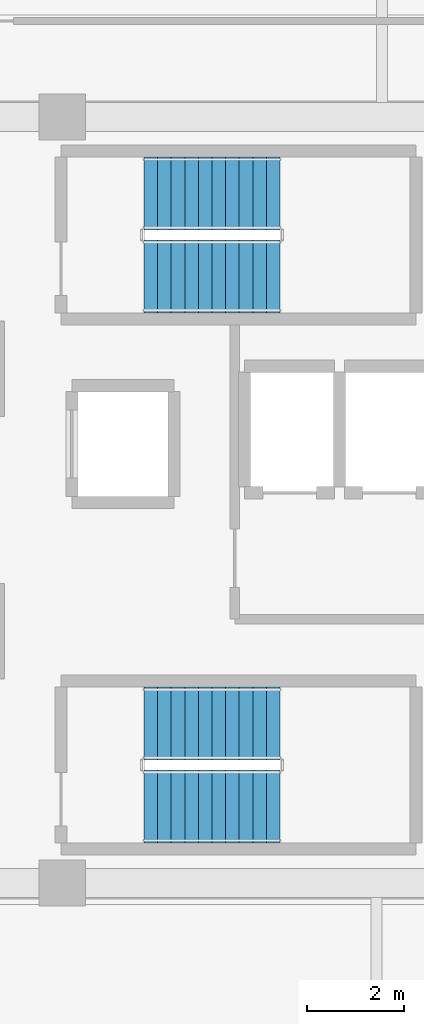
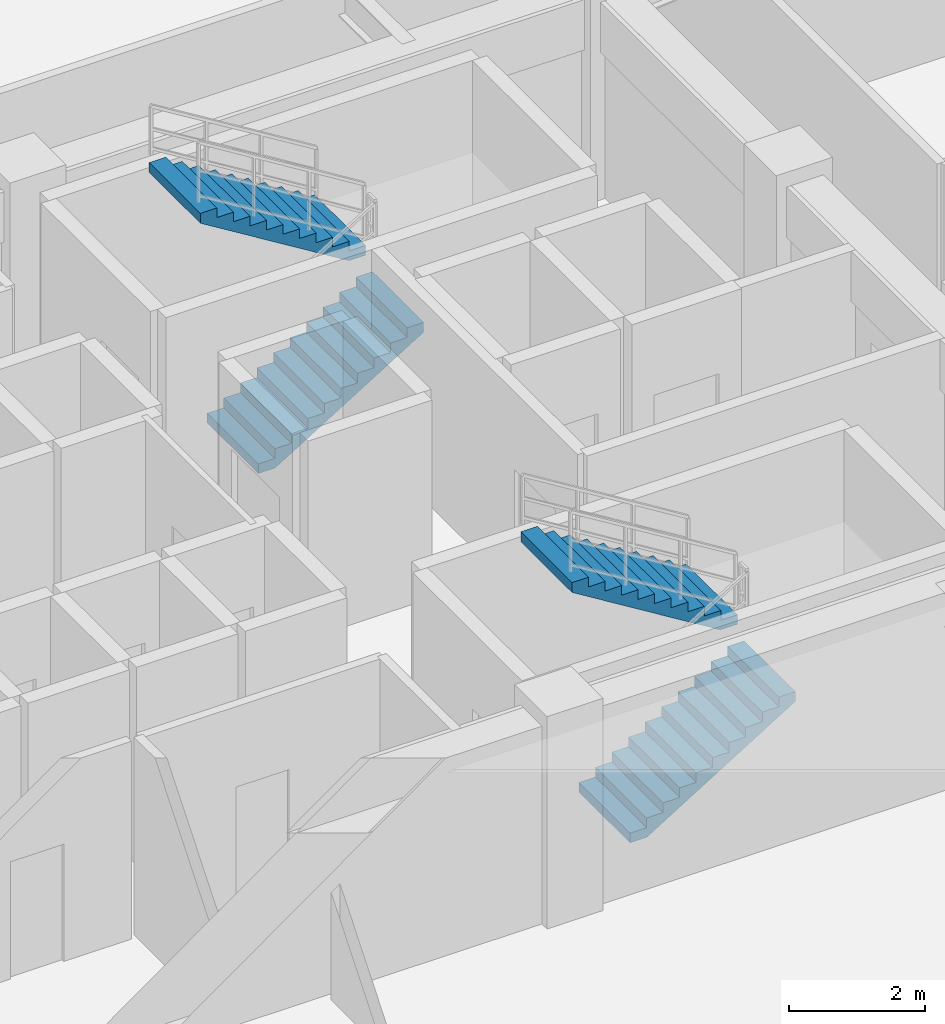
# One storey, part 6 of 8: 4 stair flights, 2 elements without a shape of their own.
"""IFC4 building model written with IfcOpenShell, lengths in metres."""

from ifc_helpers import new_model, si_unit, direction, frame, origin, place, context, subcontext, project, spatial, polyline, outline, extrude, material, type_object, element, aggregate, save


model = new_model("IFC4")

# Units and contexts
model_context = context("Model", 3, precision=1e-05, world=origin(), true_north=direction((0.0, 1.0)))
body_context = subcontext(model_context, "Body", "Model", "MODEL_VIEW")
ifc_project = project(units=[si_unit("LENGTHUNIT", "METRE"), si_unit("AREAUNIT", "SQUARE_METRE"), si_unit("VOLUMEUNIT", "CUBIC_METRE"), si_unit("PLANEANGLEUNIT", "RADIAN"), si_unit("MASSUNIT", "GRAM", prefix="KILO")], contexts=[model_context])

# Site, building, storey
site_placement = place(None, origin())
site = spatial("IfcSite", under=ifc_project, at=site_placement, CompositionType="ELEMENT")
building_placement = place(site_placement, origin())
building = spatial("IfcBuilding", under=site, at=building_placement, Name="Zulverin Broadcast Headquarters", CompositionType="ELEMENT")
storey_placement = place(building_placement, frame((0.0, 0.0, 204.800048828125)))
storey = spatial("IfcBuildingStorey", under=building, at=storey_placement, Name="L52", CompositionType="ELEMENT", Elevation=204.800048828125)

# Stair, stair flights
ifc_material = material(Name="Concrete C40/50", Category="concrete")
stair_type = type_object("IfcStairType", Name="ST-CORE-1500", PredefinedType="HALF_TURN_STAIR", material=ifc_material)
stair_1_placement = place(storey_placement, origin())
stair_1 = element("IfcStair", 1, at=stair_1_placement, inside=storey, type_object=stair_type, Name="L52 Core Exit Stair ST-1", PredefinedType="HALF_TURN_STAIR")
stair_flight_type = type_object("IfcStairFlightType", Name="SF-CORE-1500", PredefinedType="STRAIGHT", material=ifc_material)
stair_flight_1_placement = place(storey_placement, frame((40.1298828125, 29.800048828125, 0.0), z_axis=(0.0, 0.0, 1.0), x_axis=(1.0, 0.0, 0.0)))
stair_flight_1 = element("IfcStairFlight", 2, at=stair_flight_1_placement, type_object=stair_flight_type, Name="ST-1 flight 1", NumberOfRisers=11, NumberOfTreads=10, PredefinedType="STRAIGHT", RiserHeight=0.172727273, TreadLength=0.28, context=body_context, shape_type="SweptSolid", body=[
    extrude(outline(polyline([(0.0, 0.0), (0.0, 0.172607421875), (0.280029296875, 0.172607421875), (0.280029296875, 0.345458984375), (0.56005859375, 0.345458984375), (0.56005859375, 0.51806640625), (0.840087890625, 0.51806640625), (0.840087890625, 0.69091796875), (1.1201171875, 0.69091796875), (1.1201171875, 0.863525390625), (1.39990234375, 0.863525390625), (1.39990234375, 1.036376953125), (1.679931640625, 1.036376953125), (1.679931640625, 1.208984375), (1.9599609375, 1.208984375), (1.9599609375, 1.3818359375), (2.239990234375, 1.3818359375), (2.239990234375, 1.554443359375), (2.52001953125, 1.554443359375), (2.52001953125, 1.727294921875), (2.800048828125, 1.727294921875), (2.800048828125, 1.89990234375), (2.800048828125, 1.551025390625), (0.285400390625, 0.0), (0.0, 0.0)])), frame((0.0, 0.75, 0.0), z_axis=(0.0, -1.0, 0.0), x_axis=(1.0, 0.0, 0.0)), (0.0, 0.0, 1.0), 1.5),
])
stair_flight_2_placement = place(storey_placement, frame((42.929931640625, 31.5, 1.89990234375), z_axis=(0.0, 0.0, 1.0), x_axis=(-1.0, 0.0, 0.0)))
stair_flight_2 = element("IfcStairFlight", 3, at=stair_flight_2_placement, type_object=stair_flight_type, Name="ST-1 flight 2", NumberOfRisers=11, NumberOfTreads=10, PredefinedType="STRAIGHT", RiserHeight=0.172727273, TreadLength=0.28, context=body_context, shape_type="SweptSolid", body=[
    extrude(outline(polyline([(0.0, 0.0), (0.0, 0.172607421875), (0.280029296875, 0.172607421875), (0.280029296875, 0.345458984375), (0.56005859375, 0.345458984375), (0.56005859375, 0.51806640625), (0.840087890625, 0.51806640625), (0.840087890625, 0.69091796875), (1.1201171875, 0.69091796875), (1.1201171875, 0.863525390625), (1.39990234375, 0.863525390625), (1.39990234375, 1.036376953125), (1.679931640625, 1.036376953125), (1.679931640625, 1.208984375), (1.9599609375, 1.208984375), (1.9599609375, 1.3818359375), (2.239990234375, 1.3818359375), (2.239990234375, 1.554443359375), (2.52001953125, 1.554443359375), (2.52001953125, 1.727294921875), (2.800048828125, 1.727294921875), (2.800048828125, 1.89990234375), (2.800048828125, 1.551025390625), (0.285400390625, 0.0), (0.0, 0.0)])), frame((0.0, 0.75, 0.0), z_axis=(0.0, -1.0, 0.0), x_axis=(1.0, 0.0, 0.0)), (0.0, 0.0, 1.0), 1.5),
])
aggregate(stair_1, [stair_flight_1, stair_flight_2])

stair_2_placement = place(storey_placement, origin())
stair_2 = element("IfcStair", 4, at=stair_2_placement, inside=storey, type_object=stair_type, Name="L52 Core Exit Stair ST-2", PredefinedType="HALF_TURN_STAIR")
stair_flight_3_placement = place(storey_placement, frame((40.1298828125, 18.89990234375, 0.0), z_axis=(0.0, 0.0, 1.0), x_axis=(1.0, 0.0, 0.0)))
stair_flight_3 = element("IfcStairFlight", 5, at=stair_flight_3_placement, type_object=stair_flight_type, Name="ST-2 flight 1", NumberOfRisers=11, NumberOfTreads=10, PredefinedType="STRAIGHT", RiserHeight=0.172727273, TreadLength=0.28, context=body_context, shape_type="SweptSolid", body=[
    extrude(outline(polyline([(0.0, 0.0), (0.0, 0.172607421875), (0.280029296875, 0.172607421875), (0.280029296875, 0.345458984375), (0.56005859375, 0.345458984375), (0.56005859375, 0.51806640625), (0.840087890625, 0.51806640625), (0.840087890625, 0.69091796875), (1.1201171875, 0.69091796875), (1.1201171875, 0.863525390625), (1.39990234375, 0.863525390625), (1.39990234375, 1.036376953125), (1.679931640625, 1.036376953125), (1.679931640625, 1.208984375), (1.9599609375, 1.208984375), (1.9599609375, 1.3818359375), (2.239990234375, 1.3818359375), (2.239990234375, 1.554443359375), (2.52001953125, 1.554443359375), (2.52001953125, 1.727294921875), (2.800048828125, 1.727294921875), (2.800048828125, 1.89990234375), (2.800048828125, 1.551025390625), (0.285400390625, 0.0), (0.0, 0.0)])), frame((0.0, 0.75, 0.0), z_axis=(0.0, -1.0, 0.0), x_axis=(1.0, 0.0, 0.0)), (0.0, 0.0, 1.0), 1.5),
])
stair_flight_4_placement = place(storey_placement, frame((42.929931640625, 20.60009765625, 1.89990234375), z_axis=(0.0, 0.0, 1.0), x_axis=(-1.0, 0.0, 0.0)))
stair_flight_4 = element("IfcStairFlight", 6, at=stair_flight_4_placement, type_object=stair_flight_type, Name="ST-2 flight 2", NumberOfRisers=11, NumberOfTreads=10, PredefinedType="STRAIGHT", RiserHeight=0.172727273, TreadLength=0.28, context=body_context, shape_type="SweptSolid", body=[
    extrude(outline(polyline([(0.0, 0.0), (0.0, 0.172607421875), (0.280029296875, 0.172607421875), (0.280029296875, 0.345458984375), (0.56005859375, 0.345458984375), (0.56005859375, 0.51806640625), (0.840087890625, 0.51806640625), (0.840087890625, 0.69091796875), (1.1201171875, 0.69091796875), (1.1201171875, 0.863525390625), (1.39990234375, 0.863525390625), (1.39990234375, 1.036376953125), (1.679931640625, 1.036376953125), (1.679931640625, 1.208984375), (1.9599609375, 1.208984375), (1.9599609375, 1.3818359375), (2.239990234375, 1.3818359375), (2.239990234375, 1.554443359375), (2.52001953125, 1.554443359375), (2.52001953125, 1.727294921875), (2.800048828125, 1.727294921875), (2.800048828125, 1.89990234375), (2.800048828125, 1.551025390625), (0.285400390625, 0.0), (0.0, 0.0)])), frame((0.0, 0.75, 0.0), z_axis=(0.0, -1.0, 0.0), x_axis=(1.0, 0.0, 0.0)), (0.0, 0.0, 1.0), 1.5),
])
aggregate(stair_2, [stair_flight_3, stair_flight_4])

save(model, "model.ifc")
